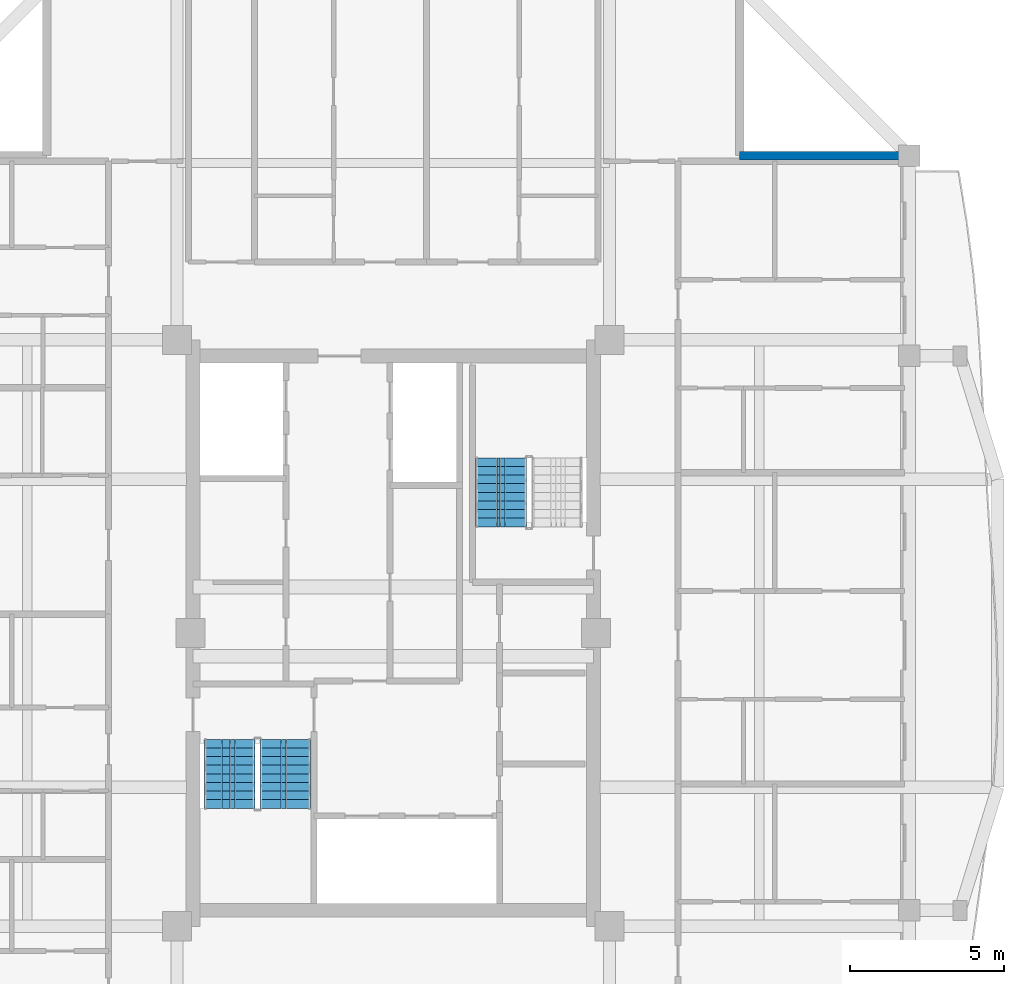
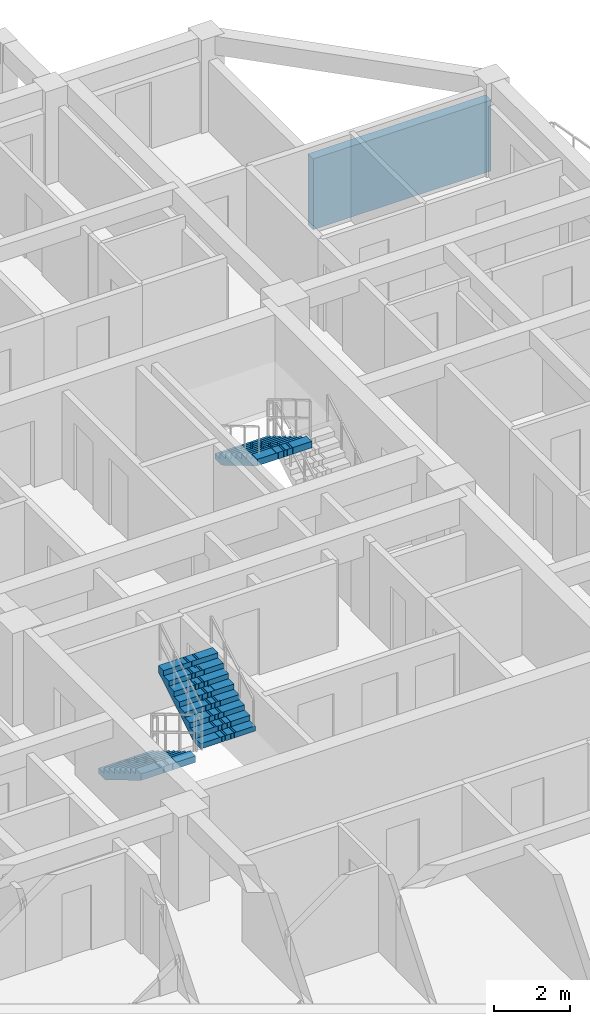
# One storey, part 8 of 14: 3 stair flights, 1 wall, 2 elements without a shape of their own.
"""IFC4 building model written with IfcOpenShell, lengths in metres."""

from ifc_helpers import new_model, si_unit, direction, frame, frame_2d, origin, place, context, subcontext, project, spatial, polyline, rectangle, outline, extrude, material, layer, layer_set, type_object, element, aggregate, save


model = new_model("IFC4")

# Units and contexts
model_context = context("Model", 3, precision=1e-05, world=origin(), true_north=direction((0.0, 1.0)))
body_context = subcontext(model_context, "Body", "Model", "MODEL_VIEW")
ifc_project = project(units=[si_unit("LENGTHUNIT", "METRE"), si_unit("AREAUNIT", "SQUARE_METRE"), si_unit("VOLUMEUNIT", "CUBIC_METRE"), si_unit("PLANEANGLEUNIT", "RADIAN"), si_unit("MASSUNIT", "GRAM", prefix="KILO")], contexts=[model_context])

# Site, building, storey
site_placement = place(None, origin())
site = spatial("IfcSite", under=ifc_project, at=site_placement, CompositionType="ELEMENT")
building_placement = place(site_placement, origin())
building = spatial("IfcBuilding", under=site, at=building_placement, Name="Saelheon Loggia Tower", CompositionType="ELEMENT")
storey_placement = place(building_placement, frame((0.0, 0.0, 233.10009765625)))
storey = spatial("IfcBuildingStorey", under=building, at=storey_placement, Name="L72", CompositionType="ELEMENT", Elevation=233.10009765625)

# Wall
ifc_material_1 = material(Name="Architectural Precast Concrete C40/50", Category="concrete")
ifc_layer = layer(ifc_material_1, 0.280029296875)
ifc_layer_set = layer_set([ifc_layer], Name="Architectural Precast Concrete C40/50")
wall_type = type_object("IfcWallType", Name="Wall_Ext_Loggia_280", PredefinedType="SOLIDWALL", material=ifc_layer_set)
wall_placement = place(storey_placement, frame((49.25, 42.5, 0.0), z_axis=(0.0, 0.0, 1.0), x_axis=(1.0, 0.0, 0.0)))
element("IfcWall", 1, at=wall_placement, inside=storey, type_object=wall_type, Name="L72 Corner Notch Precast Wall NE2", PredefinedType="SOLIDWALL", context=body_context, shape_type="SweptSolid", body=[
    extrude(rectangle(XDim=5.419921875, YDim=0.280029296875, at=frame_2d((2.7099609375, 0.0))), origin(), (0.0, 0.0, 1.0), 2.27978515625),
])

# Stair, stair flights
ifc_material_2 = material(Name="Concrete C40/50", Category="concrete")
stair_type = type_object("IfcStairType", Name="Stair_Escape_Core", PredefinedType="HALF_TURN_STAIR", material=ifc_material_2)
stair_1_placement = place(storey_placement, origin())
stair_1 = element("IfcStair", 2, at=stair_1_placement, inside=storey, type_object=stair_type, Name="L72 Special Escape Stair ST1", PredefinedType="HALF_TURN_STAIR")
stair_flight_type = type_object("IfcStairFlightType", Name="StairFlight_Tower_1660", PredefinedType="STRAIGHT", material=ifc_material_2)
stair_flight_1_placement = place(storey_placement, frame((32.679931640625, 23.550048828125, 0.0), z_axis=(0.0, 0.0, 1.0), x_axis=(0.0, -1.0, 0.0)))
stair_flight_1 = element("IfcStairFlight", 3, at=stair_flight_1_placement, type_object=stair_flight_type, Name="ST1 flight 1", NumberOfRisers=9, NumberOfTreads=8, PredefinedType="STRAIGHT", RiserHeight=0.166666667, TreadLength=0.28, context=body_context, shape_type="SweptSolid", body=[
    extrude(outline(polyline([(0.0, 0.0), (0.0, 0.166748046875), (0.280029296875, 0.166748046875), (0.280029296875, 0.333251953125), (0.56005859375, 0.333251953125), (0.56005859375, 0.5), (0.840087890625, 0.5), (0.840087890625, 0.666748046875), (1.1201171875, 0.666748046875), (1.1201171875, 0.833251953125), (1.39990234375, 0.833251953125), (1.39990234375, 1.0), (1.679931640625, 1.0), (1.679931640625, 1.166748046875), (1.9599609375, 1.166748046875), (1.9599609375, 1.333251953125), (2.239990234375, 1.333251953125), (2.239990234375, 1.5), (2.239990234375, 1.1240234375), (0.351806640625, 0.0), (0.0, 0.0)])), frame((0.0, -0.2490234375, 0.0), z_axis=(0.0, -1.0, 0.0), x_axis=(1.0, 0.0, 0.0)), (0.0, 0.0, 1.0), 0.5810546875),
    extrude(outline(polyline([(0.0, 0.0), (0.0, 0.166748046875), (0.280029296875, 0.166748046875), (0.280029296875, 0.333251953125), (0.56005859375, 0.333251953125), (0.56005859375, 0.5), (0.840087890625, 0.5), (0.840087890625, 0.666748046875), (1.1201171875, 0.666748046875), (1.1201171875, 0.833251953125), (1.39990234375, 0.833251953125), (1.39990234375, 1.0), (1.679931640625, 1.0), (1.679931640625, 1.166748046875), (1.9599609375, 1.166748046875), (1.9599609375, 1.333251953125), (2.239990234375, 1.333251953125), (2.239990234375, 1.5), (2.239990234375, 1.1240234375), (0.351806640625, 0.0), (0.0, 0.0)])), frame((0.0, -0.194091796875, 0.0), z_axis=(0.0, -1.0, 0.0), x_axis=(1.0, 0.0, 0.0)), (0.0, 0.0, 1.0), 0.0498046875),
    extrude(outline(polyline([(0.0, 0.0), (0.0, 0.166748046875), (0.280029296875, 0.166748046875), (0.280029296875, 0.333251953125), (0.56005859375, 0.333251953125), (0.56005859375, 0.5), (0.840087890625, 0.5), (0.840087890625, 0.666748046875), (1.1201171875, 0.666748046875), (1.1201171875, 0.833251953125), (1.39990234375, 0.833251953125), (1.39990234375, 1.0), (1.679931640625, 1.0), (1.679931640625, 1.166748046875), (1.9599609375, 1.166748046875), (1.9599609375, 1.333251953125), (2.239990234375, 1.333251953125), (2.239990234375, 1.5), (2.239990234375, 1.1240234375), (0.351806640625, 0.0), (0.0, 0.0)])), frame((0.0, -0.139404296875, 0.0), z_axis=(0.0, -1.0, 0.0), x_axis=(1.0, 0.0, 0.0)), (0.0, 0.0, 1.0), 0.0498046875),
    extrude(outline(polyline([(0.0, 0.0), (0.0, 0.166748046875), (0.280029296875, 0.166748046875), (0.280029296875, 0.333251953125), (0.56005859375, 0.333251953125), (0.56005859375, 0.5), (0.840087890625, 0.5), (0.840087890625, 0.666748046875), (1.1201171875, 0.666748046875), (1.1201171875, 0.833251953125), (1.39990234375, 0.833251953125), (1.39990234375, 1.0), (1.679931640625, 1.0), (1.679931640625, 1.166748046875), (1.9599609375, 1.166748046875), (1.9599609375, 1.333251953125), (2.239990234375, 1.333251953125), (2.239990234375, 1.5), (2.239990234375, 1.1240234375), (0.351806640625, 0.0), (0.0, 0.0)])), frame((0.0, -0.084716796875, 0.0), z_axis=(0.0, -1.0, 0.0), x_axis=(1.0, 0.0, 0.0)), (0.0, 0.0, 1.0), 0.0498046875),
    extrude(outline(polyline([(0.0, 0.0), (0.0, 0.166748046875), (0.280029296875, 0.166748046875), (0.280029296875, 0.333251953125), (0.56005859375, 0.333251953125), (0.56005859375, 0.5), (0.840087890625, 0.5), (0.840087890625, 0.666748046875), (1.1201171875, 0.666748046875), (1.1201171875, 0.833251953125), (1.39990234375, 0.833251953125), (1.39990234375, 1.0), (1.679931640625, 1.0), (1.679931640625, 1.166748046875), (1.9599609375, 1.166748046875), (1.9599609375, 1.333251953125), (2.239990234375, 1.333251953125), (2.239990234375, 1.5), (2.239990234375, 1.1240234375), (0.351806640625, 0.0), (0.0, 0.0)])), frame((0.0, -0.02978515625, 0.0), z_axis=(0.0, -1.0, 0.0), x_axis=(1.0, 0.0, 0.0)), (0.0, 0.0, 1.0), 0.0498046875),
    extrude(outline(polyline([(0.0, 0.0), (0.0, 0.166748046875), (0.280029296875, 0.166748046875), (0.280029296875, 0.333251953125), (0.56005859375, 0.333251953125), (0.56005859375, 0.5), (0.840087890625, 0.5), (0.840087890625, 0.666748046875), (1.1201171875, 0.666748046875), (1.1201171875, 0.833251953125), (1.39990234375, 0.833251953125), (1.39990234375, 1.0), (1.679931640625, 1.0), (1.679931640625, 1.166748046875), (1.9599609375, 1.166748046875), (1.9599609375, 1.333251953125), (2.239990234375, 1.333251953125), (2.239990234375, 1.5), (2.239990234375, 1.1240234375), (0.351806640625, 0.0), (0.0, 0.0)])), frame((0.0, 0.02490234375, 0.0), z_axis=(0.0, -1.0, 0.0), x_axis=(1.0, 0.0, 0.0)), (0.0, 0.0, 1.0), 0.0498046875),
    extrude(outline(polyline([(0.0, 0.0), (0.0, 0.166748046875), (0.280029296875, 0.166748046875), (0.280029296875, 0.333251953125), (0.56005859375, 0.333251953125), (0.56005859375, 0.5), (0.840087890625, 0.5), (0.840087890625, 0.666748046875), (1.1201171875, 0.666748046875), (1.1201171875, 0.833251953125), (1.39990234375, 0.833251953125), (1.39990234375, 1.0), (1.679931640625, 1.0), (1.679931640625, 1.166748046875), (1.9599609375, 1.166748046875), (1.9599609375, 1.333251953125), (2.239990234375, 1.333251953125), (2.239990234375, 1.5), (2.239990234375, 1.1240234375), (0.351806640625, 0.0), (0.0, 0.0)])), frame((0.0, 0.07958984375, 0.0), z_axis=(0.0, -1.0, 0.0), x_axis=(1.0, 0.0, 0.0)), (0.0, 0.0, 1.0), 0.0498046875),
    extrude(outline(polyline([(0.0, 0.0), (0.0, 0.166748046875), (0.280029296875, 0.166748046875), (0.280029296875, 0.333251953125), (0.56005859375, 0.333251953125), (0.56005859375, 0.5), (0.840087890625, 0.5), (0.840087890625, 0.666748046875), (1.1201171875, 0.666748046875), (1.1201171875, 0.833251953125), (1.39990234375, 0.833251953125), (1.39990234375, 1.0), (1.679931640625, 1.0), (1.679931640625, 1.166748046875), (1.9599609375, 1.166748046875), (1.9599609375, 1.333251953125), (2.239990234375, 1.333251953125), (2.239990234375, 1.5), (2.239990234375, 1.1240234375), (0.351806640625, 0.0), (0.0, 0.0)])), frame((0.0, 0.134521484375, 0.0), z_axis=(0.0, -1.0, 0.0), x_axis=(1.0, 0.0, 0.0)), (0.0, 0.0, 1.0), 0.0498046875),
    extrude(outline(polyline([(0.0, 0.0), (0.0, 0.166748046875), (0.280029296875, 0.166748046875), (0.280029296875, 0.333251953125), (0.56005859375, 0.333251953125), (0.56005859375, 0.5), (0.840087890625, 0.5), (0.840087890625, 0.666748046875), (1.1201171875, 0.666748046875), (1.1201171875, 0.833251953125), (1.39990234375, 0.833251953125), (1.39990234375, 1.0), (1.679931640625, 1.0), (1.679931640625, 1.166748046875), (1.9599609375, 1.166748046875), (1.9599609375, 1.333251953125), (2.239990234375, 1.333251953125), (2.239990234375, 1.5), (2.239990234375, 1.1240234375), (0.351806640625, 0.0), (0.0, 0.0)])), frame((0.0, 0.189208984375, 0.0), z_axis=(0.0, -1.0, 0.0), x_axis=(1.0, 0.0, 0.0)), (0.0, 0.0, 1.0), 0.0498046875),
    extrude(outline(polyline([(0.0, 0.0), (0.0, 0.166748046875), (0.280029296875, 0.166748046875), (0.280029296875, 0.333251953125), (0.56005859375, 0.333251953125), (0.56005859375, 0.5), (0.840087890625, 0.5), (0.840087890625, 0.666748046875), (1.1201171875, 0.666748046875), (1.1201171875, 0.833251953125), (1.39990234375, 0.833251953125), (1.39990234375, 1.0), (1.679931640625, 1.0), (1.679931640625, 1.166748046875), (1.9599609375, 1.166748046875), (1.9599609375, 1.333251953125), (2.239990234375, 1.333251953125), (2.239990234375, 1.5), (2.239990234375, 1.1240234375), (0.351806640625, 0.0), (0.0, 0.0)])), frame((0.0, 0.243896484375, 0.0), z_axis=(0.0, -1.0, 0.0), x_axis=(1.0, 0.0, 0.0)), (0.0, 0.0, 1.0), 0.0498046875),
    extrude(outline(polyline([(0.0, 0.0), (0.0, 0.166748046875), (0.280029296875, 0.166748046875), (0.280029296875, 0.333251953125), (0.56005859375, 0.333251953125), (0.56005859375, 0.5), (0.840087890625, 0.5), (0.840087890625, 0.666748046875), (1.1201171875, 0.666748046875), (1.1201171875, 0.833251953125), (1.39990234375, 0.833251953125), (1.39990234375, 1.0), (1.679931640625, 1.0), (1.679931640625, 1.166748046875), (1.9599609375, 1.166748046875), (1.9599609375, 1.333251953125), (2.239990234375, 1.333251953125), (2.239990234375, 1.5), (2.239990234375, 1.1240234375), (0.351806640625, 0.0), (0.0, 0.0)])), frame((0.0, 0.830078125, 0.0), z_axis=(0.0, -1.0, 0.0), x_axis=(1.0, 0.0, 0.0)), (0.0, 0.0, 1.0), 0.5810546875),
])
stair_flight_2_placement = place(storey_placement, frame((34.5, 21.31005859375, 1.5), z_axis=(0.0, 0.0, 1.0), x_axis=(0.0, 1.0, 0.0)))
stair_flight_2 = element("IfcStairFlight", 4, at=stair_flight_2_placement, type_object=stair_flight_type, Name="ST1 flight 2", NumberOfRisers=9, NumberOfTreads=8, PredefinedType="STRAIGHT", RiserHeight=0.166666667, TreadLength=0.28, context=body_context, shape_type="SweptSolid", body=[
    extrude(outline(polyline([(0.0, 0.0), (0.0, 0.166748046875), (0.280029296875, 0.166748046875), (0.280029296875, 0.333251953125), (0.56005859375, 0.333251953125), (0.56005859375, 0.5), (0.840087890625, 0.5), (0.840087890625, 0.666748046875), (1.1201171875, 0.666748046875), (1.1201171875, 0.833251953125), (1.39990234375, 0.833251953125), (1.39990234375, 1.0), (1.679931640625, 1.0), (1.679931640625, 1.166748046875), (1.9599609375, 1.166748046875), (1.9599609375, 1.333251953125), (2.239990234375, 1.333251953125), (2.239990234375, 1.5), (2.239990234375, 1.1240234375), (0.351806640625, 0.0), (0.0, 0.0)])), frame((0.0, -0.2490234375, 0.0), z_axis=(0.0, -1.0, 0.0), x_axis=(1.0, 0.0, 0.0)), (0.0, 0.0, 1.0), 0.5810546875),
    extrude(outline(polyline([(0.0, 0.0), (0.0, 0.166748046875), (0.280029296875, 0.166748046875), (0.280029296875, 0.333251953125), (0.56005859375, 0.333251953125), (0.56005859375, 0.5), (0.840087890625, 0.5), (0.840087890625, 0.666748046875), (1.1201171875, 0.666748046875), (1.1201171875, 0.833251953125), (1.39990234375, 0.833251953125), (1.39990234375, 1.0), (1.679931640625, 1.0), (1.679931640625, 1.166748046875), (1.9599609375, 1.166748046875), (1.9599609375, 1.333251953125), (2.239990234375, 1.333251953125), (2.239990234375, 1.5), (2.239990234375, 1.1240234375), (0.351806640625, 0.0), (0.0, 0.0)])), frame((0.0, -0.194091796875, 0.0), z_axis=(0.0, -1.0, 0.0), x_axis=(1.0, 0.0, 0.0)), (0.0, 0.0, 1.0), 0.0498046875),
    extrude(outline(polyline([(0.0, 0.0), (0.0, 0.166748046875), (0.280029296875, 0.166748046875), (0.280029296875, 0.333251953125), (0.56005859375, 0.333251953125), (0.56005859375, 0.5), (0.840087890625, 0.5), (0.840087890625, 0.666748046875), (1.1201171875, 0.666748046875), (1.1201171875, 0.833251953125), (1.39990234375, 0.833251953125), (1.39990234375, 1.0), (1.679931640625, 1.0), (1.679931640625, 1.166748046875), (1.9599609375, 1.166748046875), (1.9599609375, 1.333251953125), (2.239990234375, 1.333251953125), (2.239990234375, 1.5), (2.239990234375, 1.1240234375), (0.351806640625, 0.0), (0.0, 0.0)])), frame((0.0, -0.139404296875, 0.0), z_axis=(0.0, -1.0, 0.0), x_axis=(1.0, 0.0, 0.0)), (0.0, 0.0, 1.0), 0.0498046875),
    extrude(outline(polyline([(0.0, 0.0), (0.0, 0.166748046875), (0.280029296875, 0.166748046875), (0.280029296875, 0.333251953125), (0.56005859375, 0.333251953125), (0.56005859375, 0.5), (0.840087890625, 0.5), (0.840087890625, 0.666748046875), (1.1201171875, 0.666748046875), (1.1201171875, 0.833251953125), (1.39990234375, 0.833251953125), (1.39990234375, 1.0), (1.679931640625, 1.0), (1.679931640625, 1.166748046875), (1.9599609375, 1.166748046875), (1.9599609375, 1.333251953125), (2.239990234375, 1.333251953125), (2.239990234375, 1.5), (2.239990234375, 1.1240234375), (0.351806640625, 0.0), (0.0, 0.0)])), frame((0.0, -0.084716796875, 0.0), z_axis=(0.0, -1.0, 0.0), x_axis=(1.0, 0.0, 0.0)), (0.0, 0.0, 1.0), 0.0498046875),
    extrude(outline(polyline([(0.0, 0.0), (0.0, 0.166748046875), (0.280029296875, 0.166748046875), (0.280029296875, 0.333251953125), (0.56005859375, 0.333251953125), (0.56005859375, 0.5), (0.840087890625, 0.5), (0.840087890625, 0.666748046875), (1.1201171875, 0.666748046875), (1.1201171875, 0.833251953125), (1.39990234375, 0.833251953125), (1.39990234375, 1.0), (1.679931640625, 1.0), (1.679931640625, 1.166748046875), (1.9599609375, 1.166748046875), (1.9599609375, 1.333251953125), (2.239990234375, 1.333251953125), (2.239990234375, 1.5), (2.239990234375, 1.1240234375), (0.351806640625, 0.0), (0.0, 0.0)])), frame((0.0, -0.02978515625, 0.0), z_axis=(0.0, -1.0, 0.0), x_axis=(1.0, 0.0, 0.0)), (0.0, 0.0, 1.0), 0.0498046875),
    extrude(outline(polyline([(0.0, 0.0), (0.0, 0.166748046875), (0.280029296875, 0.166748046875), (0.280029296875, 0.333251953125), (0.56005859375, 0.333251953125), (0.56005859375, 0.5), (0.840087890625, 0.5), (0.840087890625, 0.666748046875), (1.1201171875, 0.666748046875), (1.1201171875, 0.833251953125), (1.39990234375, 0.833251953125), (1.39990234375, 1.0), (1.679931640625, 1.0), (1.679931640625, 1.166748046875), (1.9599609375, 1.166748046875), (1.9599609375, 1.333251953125), (2.239990234375, 1.333251953125), (2.239990234375, 1.5), (2.239990234375, 1.1240234375), (0.351806640625, 0.0), (0.0, 0.0)])), frame((0.0, 0.02490234375, 0.0), z_axis=(0.0, -1.0, 0.0), x_axis=(1.0, 0.0, 0.0)), (0.0, 0.0, 1.0), 0.0498046875),
    extrude(outline(polyline([(0.0, 0.0), (0.0, 0.166748046875), (0.280029296875, 0.166748046875), (0.280029296875, 0.333251953125), (0.56005859375, 0.333251953125), (0.56005859375, 0.5), (0.840087890625, 0.5), (0.840087890625, 0.666748046875), (1.1201171875, 0.666748046875), (1.1201171875, 0.833251953125), (1.39990234375, 0.833251953125), (1.39990234375, 1.0), (1.679931640625, 1.0), (1.679931640625, 1.166748046875), (1.9599609375, 1.166748046875), (1.9599609375, 1.333251953125), (2.239990234375, 1.333251953125), (2.239990234375, 1.5), (2.239990234375, 1.1240234375), (0.351806640625, 0.0), (0.0, 0.0)])), frame((0.0, 0.07958984375, 0.0), z_axis=(0.0, -1.0, 0.0), x_axis=(1.0, 0.0, 0.0)), (0.0, 0.0, 1.0), 0.0498046875),
    extrude(outline(polyline([(0.0, 0.0), (0.0, 0.166748046875), (0.280029296875, 0.166748046875), (0.280029296875, 0.333251953125), (0.56005859375, 0.333251953125), (0.56005859375, 0.5), (0.840087890625, 0.5), (0.840087890625, 0.666748046875), (1.1201171875, 0.666748046875), (1.1201171875, 0.833251953125), (1.39990234375, 0.833251953125), (1.39990234375, 1.0), (1.679931640625, 1.0), (1.679931640625, 1.166748046875), (1.9599609375, 1.166748046875), (1.9599609375, 1.333251953125), (2.239990234375, 1.333251953125), (2.239990234375, 1.5), (2.239990234375, 1.1240234375), (0.351806640625, 0.0), (0.0, 0.0)])), frame((0.0, 0.134521484375, 0.0), z_axis=(0.0, -1.0, 0.0), x_axis=(1.0, 0.0, 0.0)), (0.0, 0.0, 1.0), 0.0498046875),
    extrude(outline(polyline([(0.0, 0.0), (0.0, 0.166748046875), (0.280029296875, 0.166748046875), (0.280029296875, 0.333251953125), (0.56005859375, 0.333251953125), (0.56005859375, 0.5), (0.840087890625, 0.5), (0.840087890625, 0.666748046875), (1.1201171875, 0.666748046875), (1.1201171875, 0.833251953125), (1.39990234375, 0.833251953125), (1.39990234375, 1.0), (1.679931640625, 1.0), (1.679931640625, 1.166748046875), (1.9599609375, 1.166748046875), (1.9599609375, 1.333251953125), (2.239990234375, 1.333251953125), (2.239990234375, 1.5), (2.239990234375, 1.1240234375), (0.351806640625, 0.0), (0.0, 0.0)])), frame((0.0, 0.189208984375, 0.0), z_axis=(0.0, -1.0, 0.0), x_axis=(1.0, 0.0, 0.0)), (0.0, 0.0, 1.0), 0.0498046875),
    extrude(outline(polyline([(0.0, 0.0), (0.0, 0.166748046875), (0.280029296875, 0.166748046875), (0.280029296875, 0.333251953125), (0.56005859375, 0.333251953125), (0.56005859375, 0.5), (0.840087890625, 0.5), (0.840087890625, 0.666748046875), (1.1201171875, 0.666748046875), (1.1201171875, 0.833251953125), (1.39990234375, 0.833251953125), (1.39990234375, 1.0), (1.679931640625, 1.0), (1.679931640625, 1.166748046875), (1.9599609375, 1.166748046875), (1.9599609375, 1.333251953125), (2.239990234375, 1.333251953125), (2.239990234375, 1.5), (2.239990234375, 1.1240234375), (0.351806640625, 0.0), (0.0, 0.0)])), frame((0.0, 0.243896484375, 0.0), z_axis=(0.0, -1.0, 0.0), x_axis=(1.0, 0.0, 0.0)), (0.0, 0.0, 1.0), 0.0498046875),
    extrude(outline(polyline([(0.0, 0.0), (0.0, 0.166748046875), (0.280029296875, 0.166748046875), (0.280029296875, 0.333251953125), (0.56005859375, 0.333251953125), (0.56005859375, 0.5), (0.840087890625, 0.5), (0.840087890625, 0.666748046875), (1.1201171875, 0.666748046875), (1.1201171875, 0.833251953125), (1.39990234375, 0.833251953125), (1.39990234375, 1.0), (1.679931640625, 1.0), (1.679931640625, 1.166748046875), (1.9599609375, 1.166748046875), (1.9599609375, 1.333251953125), (2.239990234375, 1.333251953125), (2.239990234375, 1.5), (2.239990234375, 1.1240234375), (0.351806640625, 0.0), (0.0, 0.0)])), frame((0.0, 0.830078125, 0.0), z_axis=(0.0, -1.0, 0.0), x_axis=(1.0, 0.0, 0.0)), (0.0, 0.0, 1.0), 0.5810546875),
])
aggregate(stair_1, [stair_flight_1, stair_flight_2])

# Stair, stair flight
stair_2_placement = place(storey_placement, origin())
stair_2 = element("IfcStair", 5, at=stair_2_placement, inside=storey, type_object=stair_type, Name="L72 Special Escape Stair ST2", PredefinedType="HALF_TURN_STAIR")
stair_flight_3_placement = place(storey_placement, frame((41.5, 32.68994140625, 1.5), z_axis=(0.0, 0.0, 1.0), x_axis=(0.0, -1.0, 0.0)))
stair_flight_3 = element("IfcStairFlight", 6, at=stair_flight_3_placement, type_object=stair_flight_type, Name="ST2 flight 2", NumberOfRisers=9, NumberOfTreads=8, PredefinedType="STRAIGHT", RiserHeight=0.166666667, TreadLength=0.28, context=body_context, shape_type="SweptSolid", body=[
    extrude(outline(polyline([(0.0, 0.0), (0.0, 0.166748046875), (0.280029296875, 0.166748046875), (0.280029296875, 0.333251953125), (0.56005859375, 0.333251953125), (0.56005859375, 0.5), (0.840087890625, 0.5), (0.840087890625, 0.666748046875), (1.1201171875, 0.666748046875), (1.1201171875, 0.833251953125), (1.39990234375, 0.833251953125), (1.39990234375, 1.0), (1.679931640625, 1.0), (1.679931640625, 1.166748046875), (1.9599609375, 1.166748046875), (1.9599609375, 1.333251953125), (2.239990234375, 1.333251953125), (2.239990234375, 1.5), (2.239990234375, 1.1240234375), (0.351806640625, 0.0), (0.0, 0.0)])), frame((0.0, -0.2490234375, 0.0), z_axis=(0.0, -1.0, 0.0), x_axis=(1.0, 0.0, 0.0)), (0.0, 0.0, 1.0), 0.5810546875),
    extrude(outline(polyline([(0.0, 0.0), (0.0, 0.166748046875), (0.280029296875, 0.166748046875), (0.280029296875, 0.333251953125), (0.56005859375, 0.333251953125), (0.56005859375, 0.5), (0.840087890625, 0.5), (0.840087890625, 0.666748046875), (1.1201171875, 0.666748046875), (1.1201171875, 0.833251953125), (1.39990234375, 0.833251953125), (1.39990234375, 1.0), (1.679931640625, 1.0), (1.679931640625, 1.166748046875), (1.9599609375, 1.166748046875), (1.9599609375, 1.333251953125), (2.239990234375, 1.333251953125), (2.239990234375, 1.5), (2.239990234375, 1.1240234375), (0.351806640625, 0.0), (0.0, 0.0)])), frame((0.0, -0.194091796875, 0.0), z_axis=(0.0, -1.0, 0.0), x_axis=(1.0, 0.0, 0.0)), (0.0, 0.0, 1.0), 0.0498046875),
    extrude(outline(polyline([(0.0, 0.0), (0.0, 0.166748046875), (0.280029296875, 0.166748046875), (0.280029296875, 0.333251953125), (0.56005859375, 0.333251953125), (0.56005859375, 0.5), (0.840087890625, 0.5), (0.840087890625, 0.666748046875), (1.1201171875, 0.666748046875), (1.1201171875, 0.833251953125), (1.39990234375, 0.833251953125), (1.39990234375, 1.0), (1.679931640625, 1.0), (1.679931640625, 1.166748046875), (1.9599609375, 1.166748046875), (1.9599609375, 1.333251953125), (2.239990234375, 1.333251953125), (2.239990234375, 1.5), (2.239990234375, 1.1240234375), (0.351806640625, 0.0), (0.0, 0.0)])), frame((0.0, -0.139404296875, 0.0), z_axis=(0.0, -1.0, 0.0), x_axis=(1.0, 0.0, 0.0)), (0.0, 0.0, 1.0), 0.0498046875),
    extrude(outline(polyline([(0.0, 0.0), (0.0, 0.166748046875), (0.280029296875, 0.166748046875), (0.280029296875, 0.333251953125), (0.56005859375, 0.333251953125), (0.56005859375, 0.5), (0.840087890625, 0.5), (0.840087890625, 0.666748046875), (1.1201171875, 0.666748046875), (1.1201171875, 0.833251953125), (1.39990234375, 0.833251953125), (1.39990234375, 1.0), (1.679931640625, 1.0), (1.679931640625, 1.166748046875), (1.9599609375, 1.166748046875), (1.9599609375, 1.333251953125), (2.239990234375, 1.333251953125), (2.239990234375, 1.5), (2.239990234375, 1.1240234375), (0.351806640625, 0.0), (0.0, 0.0)])), frame((0.0, -0.084716796875, 0.0), z_axis=(0.0, -1.0, 0.0), x_axis=(1.0, 0.0, 0.0)), (0.0, 0.0, 1.0), 0.0498046875),
    extrude(outline(polyline([(0.0, 0.0), (0.0, 0.166748046875), (0.280029296875, 0.166748046875), (0.280029296875, 0.333251953125), (0.56005859375, 0.333251953125), (0.56005859375, 0.5), (0.840087890625, 0.5), (0.840087890625, 0.666748046875), (1.1201171875, 0.666748046875), (1.1201171875, 0.833251953125), (1.39990234375, 0.833251953125), (1.39990234375, 1.0), (1.679931640625, 1.0), (1.679931640625, 1.166748046875), (1.9599609375, 1.166748046875), (1.9599609375, 1.333251953125), (2.239990234375, 1.333251953125), (2.239990234375, 1.5), (2.239990234375, 1.1240234375), (0.351806640625, 0.0), (0.0, 0.0)])), frame((0.0, -0.02978515625, 0.0), z_axis=(0.0, -1.0, 0.0), x_axis=(1.0, 0.0, 0.0)), (0.0, 0.0, 1.0), 0.0498046875),
    extrude(outline(polyline([(0.0, 0.0), (0.0, 0.166748046875), (0.280029296875, 0.166748046875), (0.280029296875, 0.333251953125), (0.56005859375, 0.333251953125), (0.56005859375, 0.5), (0.840087890625, 0.5), (0.840087890625, 0.666748046875), (1.1201171875, 0.666748046875), (1.1201171875, 0.833251953125), (1.39990234375, 0.833251953125), (1.39990234375, 1.0), (1.679931640625, 1.0), (1.679931640625, 1.166748046875), (1.9599609375, 1.166748046875), (1.9599609375, 1.333251953125), (2.239990234375, 1.333251953125), (2.239990234375, 1.5), (2.239990234375, 1.1240234375), (0.351806640625, 0.0), (0.0, 0.0)])), frame((0.0, 0.02490234375, 0.0), z_axis=(0.0, -1.0, 0.0), x_axis=(1.0, 0.0, 0.0)), (0.0, 0.0, 1.0), 0.0498046875),
    extrude(outline(polyline([(0.0, 0.0), (0.0, 0.166748046875), (0.280029296875, 0.166748046875), (0.280029296875, 0.333251953125), (0.56005859375, 0.333251953125), (0.56005859375, 0.5), (0.840087890625, 0.5), (0.840087890625, 0.666748046875), (1.1201171875, 0.666748046875), (1.1201171875, 0.833251953125), (1.39990234375, 0.833251953125), (1.39990234375, 1.0), (1.679931640625, 1.0), (1.679931640625, 1.166748046875), (1.9599609375, 1.166748046875), (1.9599609375, 1.333251953125), (2.239990234375, 1.333251953125), (2.239990234375, 1.5), (2.239990234375, 1.1240234375), (0.351806640625, 0.0), (0.0, 0.0)])), frame((0.0, 0.07958984375, 0.0), z_axis=(0.0, -1.0, 0.0), x_axis=(1.0, 0.0, 0.0)), (0.0, 0.0, 1.0), 0.0498046875),
    extrude(outline(polyline([(0.0, 0.0), (0.0, 0.166748046875), (0.280029296875, 0.166748046875), (0.280029296875, 0.333251953125), (0.56005859375, 0.333251953125), (0.56005859375, 0.5), (0.840087890625, 0.5), (0.840087890625, 0.666748046875), (1.1201171875, 0.666748046875), (1.1201171875, 0.833251953125), (1.39990234375, 0.833251953125), (1.39990234375, 1.0), (1.679931640625, 1.0), (1.679931640625, 1.166748046875), (1.9599609375, 1.166748046875), (1.9599609375, 1.333251953125), (2.239990234375, 1.333251953125), (2.239990234375, 1.5), (2.239990234375, 1.1240234375), (0.351806640625, 0.0), (0.0, 0.0)])), frame((0.0, 0.134521484375, 0.0), z_axis=(0.0, -1.0, 0.0), x_axis=(1.0, 0.0, 0.0)), (0.0, 0.0, 1.0), 0.0498046875),
    extrude(outline(polyline([(0.0, 0.0), (0.0, 0.166748046875), (0.280029296875, 0.166748046875), (0.280029296875, 0.333251953125), (0.56005859375, 0.333251953125), (0.56005859375, 0.5), (0.840087890625, 0.5), (0.840087890625, 0.666748046875), (1.1201171875, 0.666748046875), (1.1201171875, 0.833251953125), (1.39990234375, 0.833251953125), (1.39990234375, 1.0), (1.679931640625, 1.0), (1.679931640625, 1.166748046875), (1.9599609375, 1.166748046875), (1.9599609375, 1.333251953125), (2.239990234375, 1.333251953125), (2.239990234375, 1.5), (2.239990234375, 1.1240234375), (0.351806640625, 0.0), (0.0, 0.0)])), frame((0.0, 0.189208984375, 0.0), z_axis=(0.0, -1.0, 0.0), x_axis=(1.0, 0.0, 0.0)), (0.0, 0.0, 1.0), 0.0498046875),
    extrude(outline(polyline([(0.0, 0.0), (0.0, 0.166748046875), (0.280029296875, 0.166748046875), (0.280029296875, 0.333251953125), (0.56005859375, 0.333251953125), (0.56005859375, 0.5), (0.840087890625, 0.5), (0.840087890625, 0.666748046875), (1.1201171875, 0.666748046875), (1.1201171875, 0.833251953125), (1.39990234375, 0.833251953125), (1.39990234375, 1.0), (1.679931640625, 1.0), (1.679931640625, 1.166748046875), (1.9599609375, 1.166748046875), (1.9599609375, 1.333251953125), (2.239990234375, 1.333251953125), (2.239990234375, 1.5), (2.239990234375, 1.1240234375), (0.351806640625, 0.0), (0.0, 0.0)])), frame((0.0, 0.243896484375, 0.0), z_axis=(0.0, -1.0, 0.0), x_axis=(1.0, 0.0, 0.0)), (0.0, 0.0, 1.0), 0.0498046875),
    extrude(outline(polyline([(0.0, 0.0), (0.0, 0.166748046875), (0.280029296875, 0.166748046875), (0.280029296875, 0.333251953125), (0.56005859375, 0.333251953125), (0.56005859375, 0.5), (0.840087890625, 0.5), (0.840087890625, 0.666748046875), (1.1201171875, 0.666748046875), (1.1201171875, 0.833251953125), (1.39990234375, 0.833251953125), (1.39990234375, 1.0), (1.679931640625, 1.0), (1.679931640625, 1.166748046875), (1.9599609375, 1.166748046875), (1.9599609375, 1.333251953125), (2.239990234375, 1.333251953125), (2.239990234375, 1.5), (2.239990234375, 1.1240234375), (0.351806640625, 0.0), (0.0, 0.0)])), frame((0.0, 0.830078125, 0.0), z_axis=(0.0, -1.0, 0.0), x_axis=(1.0, 0.0, 0.0)), (0.0, 0.0, 1.0), 0.5810546875),
])
aggregate(stair_2, [stair_flight_3])

save(model, "model.ifc")
